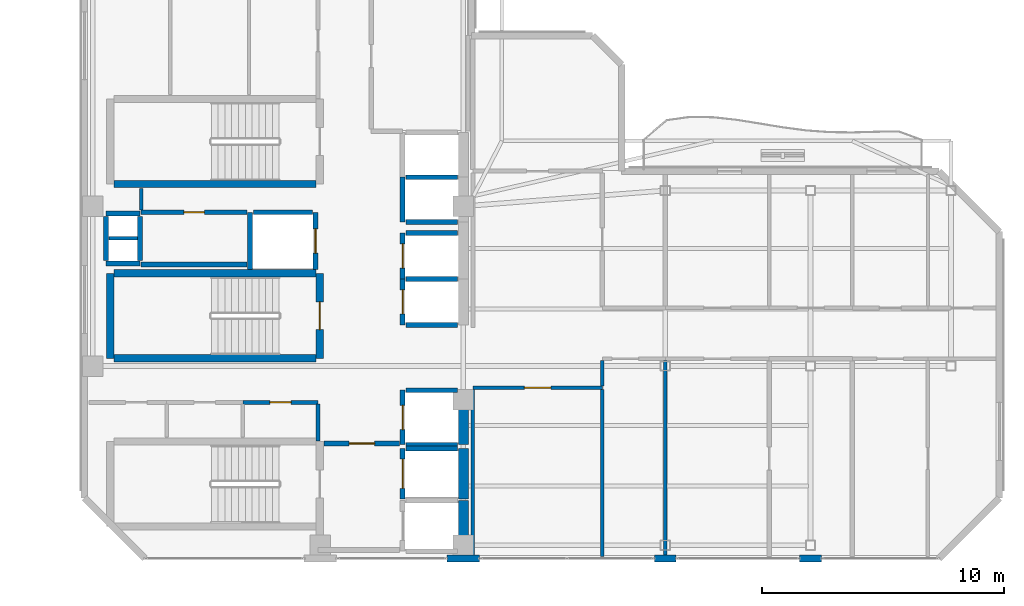
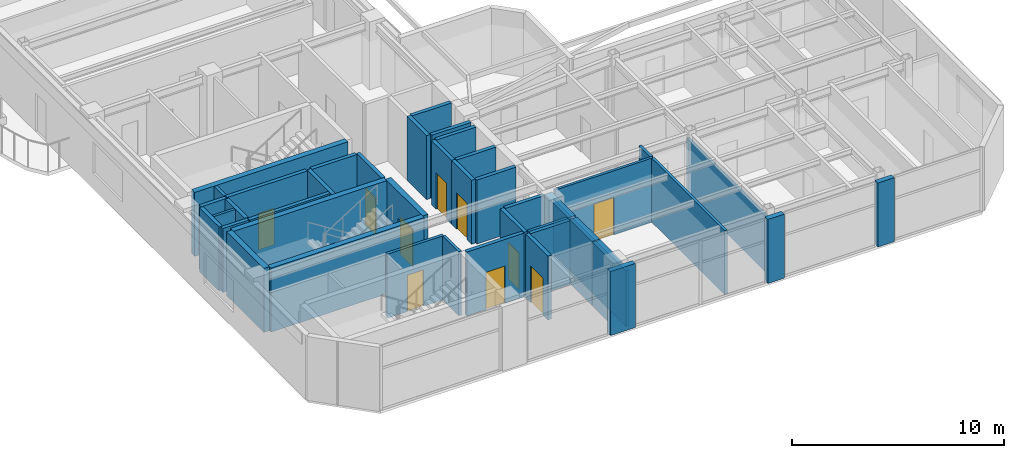
# One storey, part 9 of 15: 43 walls, 10 doors, 10 openings.
"""IFC4 building model written with IfcOpenShell, lengths in metres."""

from ifc_helpers import new_model, si_unit, direction, frame, frame_2d, origin, place, context, subcontext, project, spatial, rectangle, extrude, material, layer, layer_set, type_object, element, fill, save


model = new_model("IFC4")

# Units and contexts
model_context = context("Model", 3, precision=1e-05, world=origin(), true_north=direction((0.0, 1.0)))
body_context = subcontext(model_context, "Body", "Model", "MODEL_VIEW")
ifc_project = project(units=[si_unit("LENGTHUNIT", "METRE"), si_unit("AREAUNIT", "SQUARE_METRE"), si_unit("VOLUMEUNIT", "CUBIC_METRE"), si_unit("PLANEANGLEUNIT", "RADIAN"), si_unit("MASSUNIT", "GRAM", prefix="KILO")], contexts=[model_context])

# Site, building, storey
site_placement = place(None, origin())
site = spatial("IfcSite", under=ifc_project, at=site_placement, CompositionType="ELEMENT")
building_placement = place(site_placement, origin())
building = spatial("IfcBuilding", under=site, at=building_placement, Name="Mawjaban Terraces University", CompositionType="ELEMENT")
storey_placement = place(building_placement, frame((0.0, 0.0, 279.39990234375)))
storey = spatial("IfcBuildingStorey", under=building, at=storey_placement, Name="L68", CompositionType="ELEMENT", Elevation=279.39990234375)

# Walls
ifc_material_1 = material(Name="Concrete C50/60", Category="concrete")
ifc_layer_1 = layer(ifc_material_1, 0.419921875)
ifc_layer_set_1 = layer_set([ifc_layer_1], Name="Concrete C50/60")
wall_type_1 = type_object("IfcWallType", Name="CoreShearWall_420", PredefinedType="SHEAR", material=ifc_layer_set_1)
wall_1_placement = place(storey_placement, frame((37.659912109375, 0.300048828125, 0.0), z_axis=(0.0, 0.0, 1.0), x_axis=(0.0, 1.0, 0.0)))
element("IfcWall", 1, at=wall_1_placement, inside=storey, type_object=wall_type_1, Name="L68 Lift FL-1 Hoistway Wall East", PredefinedType="SHEAR", context=body_context, shape_type="SweptSolid", body=[
    extrude(rectangle(XDim=2.099853515625, YDim=0.419921875, at=frame_2d((1.0498046875, 0.0))), origin(), (0.0, 0.0, 1.0), 3.690185546875),
])
wall_2_placement = place(storey_placement, frame((37.659912109375, 2.449951171875, 0.0), z_axis=(0.0, 0.0, 1.0), x_axis=(0.0, 1.0, 0.0)))
element("IfcWall", 2, at=wall_2_placement, inside=storey, type_object=wall_type_1, Name="L68 Lift FL-2 Hoistway Wall East", PredefinedType="SHEAR", context=body_context, shape_type="SweptSolid", body=[
    extrude(rectangle(XDim=2.10009765625, YDim=0.419921875, at=frame_2d((1.050048828125, 0.0))), origin(), (0.0, 0.0, 1.0), 3.690185546875),
])
wall_3_placement = place(storey_placement, frame((37.659912109375, 4.699951171875, 0.0), z_axis=(0.0, 0.0, 1.0), x_axis=(0.0, 1.0, 0.0)))
element("IfcWall", 3, at=wall_3_placement, inside=storey, type_object=wall_type_1, Name="L68 Lift SL-1 Hoistway Wall East", PredefinedType="SHEAR", context=body_context, shape_type="SweptSolid", body=[
    extrude(rectangle(XDim=2.25, YDim=0.419921875, at=frame_2d((1.125, 0.0))), origin(), (0.0, 0.0, 1.0), 3.690185546875),
])

# Wall, opening, door
ifc_material_2 = material(Name="Fire-rated gypsum board on steel stud", Category="steel")
ifc_layer_2 = layer(ifc_material_2, 0.159912109375)
ifc_layer_set_2 = layer_set([ifc_layer_2], Name="Fire-rated gypsum board on steel stud")
wall_type_2 = type_object("IfcWallType", Name="CorridorPartition_160", PredefinedType="PARTITIONING", material=ifc_layer_set_2)
wall_4_placement = place(storey_placement, frame((28.550048828125, 6.449951171875, 0.0), z_axis=(0.0, 0.0, 1.0), x_axis=(1.0, 0.0, 0.0)))
wall_4 = element("IfcWall", 4, at=wall_4_placement, inside=storey, type_object=wall_type_2, Name="L68 Core Washroom Lobby Partition 6", PredefinedType="PARTITIONING", context=body_context, shape_type="SweptSolid", body=[
    extrude(rectangle(XDim=3.099853515625, YDim=0.159912109375, at=frame_2d((1.5498046875, 0.0))), origin(), (0.0, 0.0, 1.0), 3.690185546875),
])
opening_1_placement = place(wall_4_placement, frame((1.110107421875, 0.0, 0.0)))
opening_1 = element("IfcOpeningElement", 5, at=opening_1_placement, cuts=wall_4, Name="Opening ID-088", PredefinedType="OPENING", context=body_context, shape_type="SweptSolid", body=[
    extrude(rectangle(XDim=0.8798828125, YDim=2.10009765625, at=frame_2d((0.43994140625, 1.050048828125))), frame((0.0, 0.08984375, 0.0), z_axis=(0.0, -1.0, 0.0), x_axis=(1.0, 0.0, 0.0)), (0.0, 0.0, 1.0), 0.179931640625),
])
ifc_material_3 = material(Name="Powder-coated steel frame and solid acoustic timber leaf", Category="steel")
door_type_1 = type_object("IfcDoorType", Name="ToiletDoor_880x2100", OperationType="NOTDEFINED", PredefinedType="DOOR", material=ifc_material_3)
door_1_placement = place(opening_1_placement, origin())
door_1 = element("IfcDoor", 6, at=door_1_placement, inside=storey, type_object=door_type_1, Name="L68 Accessible Toilet Door", OperationType="SINGLE_SWING_RIGHT", OverallHeight=2.10009765625, OverallWidth=0.8798828125, PredefinedType="DOOR", context=body_context, shape_type="SweptSolid", body=[
    extrude(rectangle(XDim=0.8798828125, YDim=2.10009765625, at=frame_2d((0.43994140625, 1.050048828125))), frame((0.0, 0.02490234375, 0.0), z_axis=(0.0, -1.0, 0.0), x_axis=(1.0, 0.0, 0.0)), (0.0, 0.0, 1.0), 0.050048828125),
])
fill(opening_1, door_1)

# Walls
wall_5_placement = place(storey_placement, frame((24.35009765625, 15.2900390625, 0.0), z_axis=(0.0, 0.0, 1.0), x_axis=(0.0, -1.0, 0.0)))
element("IfcWall", 7, at=wall_5_placement, inside=storey, type_object=wall_type_2, Name="L68 Core Riser Access Passage Partition 27", PredefinedType="PARTITIONING", context=body_context, shape_type="SweptSolid", body=[
    extrude(rectangle(XDim=0.89501953125, YDim=0.159912109375, at=frame_2d((0.447509765625, 0.0))), origin(), (0.0, 0.0, 1.0), 3.690185546875),
])
wall_6_placement = place(storey_placement, frame((31.64990234375, 4.860107421875, 0.0), z_axis=(0.0, 0.0, 1.0), x_axis=(0.0, 1.0, 0.0)))
element("IfcWall", 8, at=wall_6_placement, inside=storey, type_object=wall_type_2, Name="L68 Accessible Toilet Partition 32", PredefinedType="PARTITIONING", context=body_context, shape_type="SweptSolid", body=[
    extrude(rectangle(XDim=1.514892578125, YDim=0.159912109375, at=frame_2d((0.75732421875, 0.0))), origin(), (0.0, 0.0, 1.0), 3.690185546875),
])
ifc_material_4 = material(Name="Insulated terracotta rainscreen on concrete backup C40/50", Category="masonry")
ifc_layer_3 = layer(ifc_material_4, 0.27490234375)
ifc_layer_set_3 = layer_set([ifc_layer_3], Name="Insulated terracotta rainscreen on concrete backup C40/50")
wall_type_3 = type_object("IfcWallType", Name="ExtTerracottaWall_275", PredefinedType="SOLIDWALL", material=ifc_layer_set_3)
wall_7_placement = place(storey_placement, frame((36.97509765625, 0.0, 0.0), z_axis=(0.0, 0.0, 1.0), x_axis=(1.0, 0.0, 0.0)))
element("IfcWall", 9, at=wall_7_placement, inside=storey, type_object=wall_type_3, Name="L68 Exterior Terracotta Pier Wall 1.2", PredefinedType="SOLIDWALL", context=body_context, shape_type="SweptSolid", body=[
    extrude(rectangle(XDim=1.349853515625, YDim=0.27490234375, at=frame_2d((0.6748046875, 0.0))), origin(), (0.0, 0.0, 1.0), 3.690185546875),
])
for number, where, z_axis, x_axis, name in (
    (10, (45.550048828125, 0.0, 0.0), (0.0, 0.0, 1.0), (1.0, 0.0, 0.0), "L68 Exterior Terracotta Pier Wall 1.3"),
    (11, (51.550048828125, 0.0, 0.0), (0.0, 0.0, 1.0), (1.0, 0.0, 0.0), "L68 Exterior Terracotta Pier Wall 1.4"),
):
    element("IfcWall", number, at=place(storey_placement, frame(where, z_axis=z_axis, x_axis=x_axis)), inside=storey, type_object=wall_type_3, Name=name, PredefinedType="SOLIDWALL", context=body_context, shape_type="SweptSolid", body=[
        extrude(rectangle(XDim=0.89990234375, YDim=0.27490234375, at=frame_2d((0.449951171875, 0.0))), origin(), (0.0, 0.0, 1.0), 3.690185546875),
    ])

# Wall, opening, door
ifc_material_5 = material(Name="Concrete C40/50", Category="concrete")
ifc_layer_4 = layer(ifc_material_5, 0.199951171875)
ifc_layer_set_4 = layer_set([ifc_layer_4], Name="Concrete C40/50")
wall_type_4 = type_object("IfcWallType", Name="FireLobbyWall_200", PredefinedType="SOLIDWALL", material=ifc_layer_set_4)
wall_8_placement = place(storey_placement, frame((35.14990234375, 4.550048828125, 0.0), z_axis=(0.0, 0.0, 1.0), x_axis=(0.0, -1.0, 0.0)))
wall_8 = element("IfcWall", 12, at=wall_8_placement, inside=storey, type_object=wall_type_4, Name="L68 Lift FL-2 Hoistway Wall West", PredefinedType="SOLIDWALL", context=body_context, shape_type="SweptSolid", body=[
    extrude(rectangle(XDim=2.10009765625, YDim=0.199951171875, at=frame_2d((1.050048828125, 0.0))), origin(), (0.0, 0.0, 1.0), 3.690185546875),
])
opening_2_placement = place(wall_8_placement, frame((0.449951171875, 0.0, 0.0)))
opening_2 = element("IfcOpeningElement", 13, at=opening_2_placement, cuts=wall_8, Name="Opening LD-FL-2", PredefinedType="OPENING", context=body_context, shape_type="SweptSolid", body=[
    extrude(rectangle(XDim=1.199951171875, YDim=2.14990234375, at=frame_2d((0.60009765625, 1.074951171875))), frame((0.0, 0.10986328125, 0.0), z_axis=(0.0, -1.0, 0.0), x_axis=(1.0, 0.0, 0.0)), (0.0, 0.0, 1.0), 0.219970703125),
])
ifc_material_6 = material(Name="Powder-coated steel frame and fire-rated steel-faced leaf", Category="steel")
door_type_2 = type_object("IfcDoorType", Name="LiftLandingFSAE_1200x2150", OperationType="NOTDEFINED", PredefinedType="DOOR", material=ifc_material_6)
door_2_placement = place(opening_2_placement, origin())
door_2 = element("IfcDoor", 14, at=door_2_placement, inside=storey, type_object=door_type_2, Name="L68 Lift FL-2 Sliding Landing Door", OperationType="DOUBLE_DOOR_SLIDING", OverallHeight=2.14990234375, OverallWidth=1.199951171875, PredefinedType="DOOR", context=body_context, shape_type="SweptSolid", body=[
    extrude(rectangle(XDim=1.199951171875, YDim=2.14990234375, at=frame_2d((0.60009765625, 1.074951171875))), frame((0.0, 0.02490234375, 0.0), z_axis=(0.0, -1.0, 0.0), x_axis=(1.0, 0.0, 0.0)), (0.0, 0.0, 1.0), 0.050048828125),
])
fill(opening_2, door_2)

# Wall
wall_9_placement = place(storey_placement, frame((37.419921875, 4.550048828125, 0.0), z_axis=(0.0, 0.0, 1.0), x_axis=(-1.0, 0.0, 0.0)))
element("IfcWall", 15, at=wall_9_placement, inside=storey, type_object=wall_type_4, Name="L68 Lift FL-2 Hoistway Wall North", PredefinedType="SOLIDWALL", context=body_context, shape_type="SweptSolid", body=[
    extrude(rectangle(XDim=2.139892578125, YDim=0.199951171875, at=frame_2d((1.06982421875, 0.0))), origin(), (0.0, 0.0, 1.0), 3.690185546875),
])

# Wall, opening, door
wall_10_placement = place(storey_placement, frame((35.14990234375, 6.949951171875, 0.0), z_axis=(0.0, 0.0, 1.0), x_axis=(0.0, -1.0, 0.0)))
wall_10 = element("IfcWall", 16, at=wall_10_placement, inside=storey, type_object=wall_type_4, Name="L68 Lift SL-1 Hoistway Wall West", PredefinedType="SOLIDWALL", context=body_context, shape_type="SweptSolid", body=[
    extrude(rectangle(XDim=2.25, YDim=0.199951171875, at=frame_2d((1.125, 0.0))), origin(), (0.0, 0.0, 1.0), 3.690185546875),
])
opening_3_placement = place(wall_10_placement, frame((0.625, 0.0, 0.0)))
opening_3 = element("IfcOpeningElement", 17, at=opening_3_placement, cuts=wall_10, Name="Opening LD-SL-1", PredefinedType="OPENING", context=body_context, shape_type="SweptSolid", body=[
    extrude(rectangle(XDim=1.0, YDim=2.10009765625, at=frame_2d((0.5, 1.050048828125))), frame((0.0, 0.10986328125, 0.0), z_axis=(0.0, -1.0, 0.0), x_axis=(1.0, 0.0, 0.0)), (0.0, 0.0, 1.0), 0.219970703125),
])
door_type_3 = type_object("IfcDoorType", Name="LiftLandingSliding_1000x2100", OperationType="NOTDEFINED", PredefinedType="DOOR", material=ifc_material_6)
door_3_placement = place(opening_3_placement, origin())
door_3 = element("IfcDoor", 18, at=door_3_placement, inside=storey, type_object=door_type_3, Name="L68 Lift SL-1 Sliding Landing Door", OperationType="DOUBLE_DOOR_SLIDING", OverallHeight=2.10009765625, OverallWidth=1.0, PredefinedType="DOOR", context=body_context, shape_type="SweptSolid", body=[
    extrude(rectangle(XDim=1.0, YDim=2.10009765625, at=frame_2d((0.5, 1.050048828125))), frame((0.0, 0.02490234375, 0.0), z_axis=(0.0, -1.0, 0.0), x_axis=(1.0, 0.0, 0.0)), (0.0, 0.0, 1.0), 0.050048828125),
])
fill(opening_3, door_3)

# Walls
for number, where, z_axis, x_axis, name in (
    (19, (35.280029296875, 4.699951171875, 0.0), (0.0, 0.0, 1.0), (1.0, 0.0, 0.0), "L68 Lift SL-1 Hoistway Wall South"),
    (20, (37.419921875, 6.949951171875, 0.0), (0.0, 0.0, 1.0), (-1.0, 0.0, 0.0), "L68 Lift SL-1 Hoistway Wall North"),
):
    element("IfcWall", number, at=place(storey_placement, frame(where, z_axis=z_axis, x_axis=x_axis)), inside=storey, type_object=wall_type_4, Name=name, PredefinedType="SOLIDWALL", context=body_context, shape_type="SweptSolid", body=[
        extrude(rectangle(XDim=2.139892578125, YDim=0.199951171875, at=frame_2d((1.06982421875, 0.0))), origin(), (0.0, 0.0, 1.0), 3.690185546875),
    ])

# Wall, opening, door
wall_11_placement = place(storey_placement, frame((35.14990234375, 11.550048828125, 0.0), z_axis=(0.0, 0.0, 1.0), x_axis=(0.0, -1.0, 0.0)))
wall_11 = element("IfcWall", 21, at=wall_11_placement, inside=storey, type_object=wall_type_4, Name="L68 Lift PL-H1 Hoistway Wall West", PredefinedType="SOLIDWALL", context=body_context, shape_type="SweptSolid", body=[
    extrude(rectangle(XDim=1.900146484375, YDim=0.199951171875, at=frame_2d((0.9501953125, 0.0))), origin(), (0.0, 0.0, 1.0), 3.690185546875),
])
opening_4_placement = place(wall_11_placement, frame((0.449951171875, 0.0, 0.0)))
opening_4 = element("IfcOpeningElement", 22, at=opening_4_placement, cuts=wall_11, Name="Opening LD-PL-H1", PredefinedType="OPENING", context=body_context, shape_type="SweptSolid", body=[
    extrude(rectangle(XDim=1.0, YDim=2.10009765625, at=frame_2d((0.5, 1.050048828125))), frame((0.0, 0.10986328125, 0.0), z_axis=(0.0, -1.0, 0.0), x_axis=(1.0, 0.0, 0.0)), (0.0, 0.0, 1.0), 0.219970703125),
])
door_4_placement = place(opening_4_placement, origin())
door_4 = element("IfcDoor", 23, at=door_4_placement, inside=storey, type_object=door_type_3, Name="L68 Lift PL-H1 Sliding Landing Door", OperationType="DOUBLE_DOOR_SLIDING", OverallHeight=2.10009765625, OverallWidth=1.0, PredefinedType="DOOR", context=body_context, shape_type="SweptSolid", body=[
    extrude(rectangle(XDim=1.0, YDim=2.10009765625, at=frame_2d((0.5, 1.050048828125))), frame((0.0, 0.02490234375, 0.0), z_axis=(0.0, -1.0, 0.0), x_axis=(1.0, 0.0, 0.0)), (0.0, 0.0, 1.0), 0.050048828125),
])
fill(opening_4, door_4)

# Walls
for number, where, z_axis, x_axis, name in (
    (24, (35.280029296875, 9.64990234375, 0.0), (0.0, 0.0, 1.0), (1.0, 0.0, 0.0), "L68 Lift PL-H1 Hoistway Wall South"),
    (25, (37.419921875, 11.550048828125, 0.0), (0.0, 0.0, 1.0), (-1.0, 0.0, 0.0), "L68 Lift PL-H1 Hoistway Wall North"),
):
    element("IfcWall", number, at=place(storey_placement, frame(where, z_axis=z_axis, x_axis=x_axis)), inside=storey, type_object=wall_type_4, Name=name, PredefinedType="SOLIDWALL", context=body_context, shape_type="SweptSolid", body=[
        extrude(rectangle(XDim=2.139892578125, YDim=0.199951171875, at=frame_2d((1.06982421875, 0.0))), origin(), (0.0, 0.0, 1.0), 3.690185546875),
    ])

# Wall, opening, door
wall_12_placement = place(storey_placement, frame((35.14990234375, 13.449951171875, 0.0), z_axis=(0.0, 0.0, 1.0), x_axis=(0.0, -1.0, 0.0)))
wall_12 = element("IfcWall", 26, at=wall_12_placement, inside=storey, type_object=wall_type_4, Name="L68 Lift PL-H2 Hoistway Wall West", PredefinedType="SOLIDWALL", context=body_context, shape_type="SweptSolid", body=[
    extrude(rectangle(XDim=1.89990234375, YDim=0.199951171875, at=frame_2d((0.949951171875, 0.0))), origin(), (0.0, 0.0, 1.0), 3.690185546875),
])
opening_5_placement = place(wall_12_placement, frame((0.449951171875, 0.0, 0.0)))
opening_5 = element("IfcOpeningElement", 27, at=opening_5_placement, cuts=wall_12, Name="Opening LD-PL-H2", PredefinedType="OPENING", context=body_context, shape_type="SweptSolid", body=[
    extrude(rectangle(XDim=1.0, YDim=2.10009765625, at=frame_2d((0.5, 1.050048828125))), frame((0.0, 0.10986328125, 0.0), z_axis=(0.0, -1.0, 0.0), x_axis=(1.0, 0.0, 0.0)), (0.0, 0.0, 1.0), 0.219970703125),
])
door_5_placement = place(opening_5_placement, origin())
door_5 = element("IfcDoor", 28, at=door_5_placement, inside=storey, type_object=door_type_3, Name="L68 Lift PL-H2 Sliding Landing Door", OperationType="DOUBLE_DOOR_SLIDING", OverallHeight=2.10009765625, OverallWidth=1.0, PredefinedType="DOOR", context=body_context, shape_type="SweptSolid", body=[
    extrude(rectangle(XDim=1.0, YDim=2.10009765625, at=frame_2d((0.5, 1.050048828125))), frame((0.0, 0.02490234375, 0.0), z_axis=(0.0, -1.0, 0.0), x_axis=(1.0, 0.0, 0.0)), (0.0, 0.0, 1.0), 0.050048828125),
])
fill(opening_5, door_5)

# Walls
wall_13_placement = place(storey_placement, frame((37.419921875, 13.449951171875, 0.0), z_axis=(0.0, 0.0, 1.0), x_axis=(-1.0, 0.0, 0.0)))
element("IfcWall", 29, at=wall_13_placement, inside=storey, type_object=wall_type_4, Name="L68 Lift PL-H2 Hoistway Wall North", PredefinedType="SOLIDWALL", context=body_context, shape_type="SweptSolid", body=[
    extrude(rectangle(XDim=2.139892578125, YDim=0.199951171875, at=frame_2d((1.06982421875, 0.0))), origin(), (0.0, 0.0, 1.0), 3.690185546875),
])
wall_14_placement = place(storey_placement, frame((28.85009765625, 14.300048828125, 0.0), z_axis=(0.0, 0.0, 1.0), x_axis=(0.0, -1.0, 0.0)))
element("IfcWall", 30, at=wall_14_placement, inside=storey, type_object=wall_type_4, Name="L68 Lift PL-H3 Hoistway Wall West", PredefinedType="SOLIDWALL", context=body_context, shape_type="SweptSolid", body=[
    extrude(rectangle(XDim=2.3701171875, YDim=0.199951171875, at=frame_2d((1.18505859375, 0.0))), origin(), (0.0, 0.0, 1.0), 3.690185546875),
])

# Wall, opening, door
wall_15_placement = place(storey_placement, frame((31.550048828125, 11.929931640625, 0.0), z_axis=(0.0, 0.0, 1.0), x_axis=(0.0, 1.0, 0.0)))
wall_15 = element("IfcWall", 31, at=wall_15_placement, inside=storey, type_object=wall_type_4, Name="L68 Lift PL-H3 Hoistway Wall East", PredefinedType="SOLIDWALL", context=body_context, shape_type="SweptSolid", body=[
    extrude(rectangle(XDim=2.3701171875, YDim=0.199951171875, at=frame_2d((1.18505859375, 0.0))), origin(), (0.0, 0.0, 1.0), 3.690185546875),
])
opening_6_placement = place(wall_15_placement, frame((0.68505859375, 0.0, 0.0)))
opening_6 = element("IfcOpeningElement", 32, at=opening_6_placement, cuts=wall_15, Name="Opening LD-PL-H3", PredefinedType="OPENING", context=body_context, shape_type="SweptSolid", body=[
    extrude(rectangle(XDim=1.0, YDim=2.10009765625, at=frame_2d((0.5, 1.050048828125))), frame((0.0, 0.10986328125, 0.0), z_axis=(0.0, -1.0, 0.0), x_axis=(1.0, 0.0, 0.0)), (0.0, 0.0, 1.0), 0.219970703125),
])
door_6_placement = place(opening_6_placement, origin())
door_6 = element("IfcDoor", 33, at=door_6_placement, inside=storey, type_object=door_type_3, Name="L68 Lift PL-H3 Sliding Landing Door", OperationType="DOUBLE_DOOR_SLIDING", OverallHeight=2.10009765625, OverallWidth=1.0, PredefinedType="DOOR", context=body_context, shape_type="SweptSolid", body=[
    extrude(rectangle(XDim=1.0, YDim=2.10009765625, at=frame_2d((0.5, 1.050048828125))), frame((0.0, 0.02490234375, 0.0), z_axis=(0.0, -1.0, 0.0), x_axis=(1.0, 0.0, 0.0)), (0.0, 0.0, 1.0), 0.050048828125),
])
fill(opening_6, door_6)

# Walls
wall_16_placement = place(storey_placement, frame((31.419921875, 14.300048828125, 0.0), z_axis=(0.0, 0.0, 1.0), x_axis=(-1.0, 0.0, 0.0)))
element("IfcWall", 34, at=wall_16_placement, inside=storey, type_object=wall_type_4, Name="L68 Lift PL-H3 Hoistway Wall North", PredefinedType="SOLIDWALL", context=body_context, shape_type="SweptSolid", body=[
    extrude(rectangle(XDim=2.43994140625, YDim=0.199951171875, at=frame_2d((1.219970703125, 0.0))), origin(), (0.0, 0.0, 1.0), 3.690185546875),
])
wall_17_placement = place(storey_placement, frame((35.14990234375, 15.75, 0.0), z_axis=(0.0, 0.0, 1.0), x_axis=(0.0, -1.0, 0.0)))
element("IfcWall", 35, at=wall_17_placement, inside=storey, type_object=wall_type_4, Name="L68 Lift OL-1 Hoistway Wall West", PredefinedType="SOLIDWALL", context=body_context, shape_type="SweptSolid", body=[
    extrude(rectangle(XDim=1.85009765625, YDim=0.199951171875, at=frame_2d((0.925048828125, 0.0))), origin(), (0.0, 0.0, 1.0), 3.690185546875),
])
for number, where, z_axis, x_axis, name in (
    (36, (35.280029296875, 13.89990234375, 0.0), (0.0, 0.0, 1.0), (1.0, 0.0, 0.0), "L68 Lift OL-1 Hoistway Wall South"),
    (37, (37.419921875, 15.75, 0.0), (0.0, 0.0, 1.0), (-1.0, 0.0, 0.0), "L68 Lift OL-1 Hoistway Wall North"),
):
    element("IfcWall", number, at=place(storey_placement, frame(where, z_axis=z_axis, x_axis=x_axis)), inside=storey, type_object=wall_type_4, Name=name, PredefinedType="SOLIDWALL", context=body_context, shape_type="SweptSolid", body=[
        extrude(rectangle(XDim=2.139892578125, YDim=0.199951171875, at=frame_2d((1.06982421875, 0.0))), origin(), (0.0, 0.0, 1.0), 3.690185546875),
    ])
for number, where, z_axis, x_axis, name in (
    (38, (22.89990234375, 14.25, 0.0), (0.0, 0.0, 1.0), (1.0, 0.0, 0.0), "L68 MEP Riser Shaft Wall N"),
    (39, (22.89990234375, 12.179931640625, 0.0), (0.0, 0.0, 1.0), (1.0, 0.0, 0.0), "L68 MEP Riser Shaft Wall S"),
):
    element("IfcWall", number, at=place(storey_placement, frame(where, z_axis=z_axis, x_axis=x_axis)), inside=storey, type_object=wall_type_4, Name=name, PredefinedType="SOLIDWALL", context=body_context, shape_type="SweptSolid", body=[
        extrude(rectangle(XDim=1.400146484375, YDim=0.199951171875, at=frame_2d((0.7001953125, 0.0))), origin(), (0.0, 0.0, 1.0), 3.690185546875),
    ])
for number, where, z_axis, x_axis, name in (
    (40, (24.300048828125, 12.300048828125, 0.0), (0.0, 0.0, 1.0), (0.0, 1.0, 0.0), "L68 MEP Riser Shaft Wall E"),
    (41, (22.89990234375, 12.300048828125, 0.0), (0.0, 0.0, 1.0), (0.0, 1.0, 0.0), "L68 MEP Riser Shaft Wall W"),
):
    element("IfcWall", number, at=place(storey_placement, frame(where, z_axis=z_axis, x_axis=x_axis)), inside=storey, type_object=wall_type_4, Name=name, PredefinedType="SOLIDWALL", context=body_context, shape_type="SweptSolid", body=[
        extrude(rectangle(XDim=1.829833984375, YDim=0.199951171875, at=frame_2d((0.9150390625, 0.0))), origin(), (0.0, 0.0, 1.0), 3.690185546875),
    ])
wall_18_placement = place(storey_placement, frame((24.35009765625, 12.14990234375, 0.0), z_axis=(0.0, 0.0, 1.0), x_axis=(1.0, 0.0, 0.0)))
element("IfcWall", 42, at=wall_18_placement, inside=storey, type_object=wall_type_4, Name="L68 IT and Telecoms Riser Room Partition 2", PredefinedType="SOLIDWALL", context=body_context, shape_type="SweptSolid", body=[
    extrude(rectangle(XDim=4.369873046875, YDim=0.199951171875, at=frame_2d((2.18505859375, 0.0))), origin(), (0.0, 0.0, 1.0), 3.690185546875),
])

# Wall, opening, door
wall_19_placement = place(storey_placement, frame((24.35009765625, 14.300048828125, 0.0), z_axis=(0.0, 0.0, 1.0), x_axis=(1.0, 0.0, 0.0)))
wall_19 = element("IfcWall", 43, at=wall_19_placement, inside=storey, type_object=wall_type_4, Name="L68 Core Riser Access Passage Partition 3", PredefinedType="SOLIDWALL", context=body_context, shape_type="SweptSolid", body=[
    extrude(rectangle(XDim=4.369873046875, YDim=0.199951171875, at=frame_2d((2.18505859375, 0.0))), origin(), (0.0, 0.0, 1.0), 3.690185546875),
])
opening_7_placement = place(wall_19_placement, frame((1.760009765625, 0.0, 0.0)))
opening_7 = element("IfcOpeningElement", 44, at=opening_7_placement, cuts=wall_19, Name="Opening FD-085", PredefinedType="OPENING", context=body_context, shape_type="SweptSolid", body=[
    extrude(rectangle(XDim=0.85009765625, YDim=2.10009765625, at=frame_2d((0.425048828125, 1.050048828125))), frame((0.0, 0.10986328125, 0.0), z_axis=(0.0, -1.0, 0.0), x_axis=(1.0, 0.0, 0.0)), (0.0, 0.0, 1.0), 0.219970703125),
])
door_type_4 = type_object("IfcDoorType", Name="FireRiserDoor_850x2100", OperationType="NOTDEFINED", PredefinedType="DOOR", material=ifc_material_6)
door_7_placement = place(opening_7_placement, origin())
door_7 = element("IfcDoor", 45, at=door_7_placement, inside=storey, type_object=door_type_4, Name="L68 IT and Telecoms Riser Room Door", OperationType="SINGLE_SWING_LEFT", OverallHeight=2.10009765625, OverallWidth=0.85009765625, PredefinedType="DOOR", context=body_context, shape_type="SweptSolid", body=[
    extrude(rectangle(XDim=0.85009765625, YDim=2.10009765625, at=frame_2d((0.425048828125, 1.050048828125))), frame((0.0, 0.02490234375, 0.0), z_axis=(0.0, -1.0, 0.0), x_axis=(1.0, 0.0, 0.0)), (0.0, 0.0, 1.0), 0.050048828125),
])
fill(opening_7, door_7)

wall_20_placement = place(storey_placement, frame((35.02001953125, 4.75, 0.0), z_axis=(0.0, 0.0, 1.0), x_axis=(-1.0, 0.0, 0.0)))
wall_20 = element("IfcWall", 46, at=wall_20_placement, inside=storey, type_object=wall_type_4, Name="L68 Firefighting Lift Lobby Partition 11", PredefinedType="SOLIDWALL", context=body_context, shape_type="SweptSolid", body=[
    extrude(rectangle(XDim=3.110107421875, YDim=0.199951171875, at=frame_2d((1.55517578125, 0.0))), origin(), (0.0, 0.0, 1.0), 3.690185546875),
])
opening_8_placement = place(wall_20_placement, frame((1.030029296875, 0.0, 0.0)))
opening_8 = element("IfcOpeningElement", 47, at=opening_8_placement, cuts=wall_20, Name="Opening FD-105", PredefinedType="OPENING", context=body_context, shape_type="SweptSolid", body=[
    extrude(rectangle(XDim=1.050048828125, YDim=2.14990234375, at=frame_2d((0.52490234375, 1.074951171875))), frame((0.0, 0.10986328125, 0.0), z_axis=(0.0, -1.0, 0.0), x_axis=(1.0, 0.0, 0.0)), (0.0, 0.0, 1.0), 0.219970703125),
])
door_type_5 = type_object("IfcDoorType", Name="FireLobbyDoor_1050x2150", OperationType="NOTDEFINED", PredefinedType="DOOR", material=ifc_material_6)
door_8_placement = place(opening_8_placement, origin())
door_8 = element("IfcDoor", 48, at=door_8_placement, inside=storey, type_object=door_type_5, Name="L68 Firefighting Lift Lobby Door", OperationType="SINGLE_SWING_LEFT", OverallHeight=2.14990234375, OverallWidth=1.050048828125, PredefinedType="DOOR", context=body_context, shape_type="SweptSolid", body=[
    extrude(rectangle(XDim=1.050048828125, YDim=2.14990234375, at=frame_2d((0.52490234375, 1.074951171875))), frame((0.0, 0.02490234375, 0.0), z_axis=(0.0, -1.0, 0.0), x_axis=(1.0, 0.0, 0.0)), (0.0, 0.0, 1.0), 0.050048828125),
])
fill(opening_8, door_8)

# Wall
ifc_material_7 = material(Name="Moisture-resistant gypsum board on steel stud", Category="steel")
ifc_layer_5 = layer(ifc_material_7, 0.14501953125)
ifc_layer_set_5 = layer_set([ifc_layer_5], Name="Moisture-resistant gypsum board on steel stud")
wall_type_5 = type_object("IfcWallType", Name="LabPartition_145", PredefinedType="PARTITIONING", material=ifc_layer_set_5)
wall_21_placement = place(storey_placement, frame((23.010009765625, 13.22509765625, 0.0), z_axis=(0.0, 0.0, 1.0), x_axis=(1.0, 0.0, 0.0)))
element("IfcWall", 49, at=wall_21_placement, inside=storey, type_object=wall_type_5, Name="L68 MEP Riser Shaft Wall M", PredefinedType="PARTITIONING", context=body_context, shape_type="SweptSolid", body=[
    extrude(rectangle(XDim=1.179931640625, YDim=0.14501953125, at=frame_2d((0.58984375, 0.0))), origin(), (0.0, 0.0, 1.0), 3.690185546875),
])

# Wall, opening, door
wall_22_placement = place(storey_placement, frame((38.050048828125, 7.050048828125, 0.0), z_axis=(0.0, 0.0, 1.0), x_axis=(1.0, 0.0, 0.0)))
wall_22 = element("IfcWall", 50, at=wall_22_placement, inside=storey, type_object=wall_type_5, Name="L68 Upper Research Hub Concourse Partition 15", PredefinedType="PARTITIONING", context=body_context, shape_type="SweptSolid", body=[
    extrude(rectangle(XDim=5.349853515625, YDim=0.14501953125, at=frame_2d((2.6748046875, 0.0))), origin(), (0.0, 0.0, 1.0), 3.690185546875),
])
opening_9_placement = place(wall_22_placement, frame((2.125, 0.0, 0.0)))
opening_9 = element("IfcOpeningElement", 51, at=opening_9_placement, cuts=wall_22, Name="Opening ID-110", PredefinedType="OPENING", context=body_context, shape_type="SweptSolid", body=[
    extrude(rectangle(XDim=1.10009765625, YDim=2.14990234375, at=frame_2d((0.550048828125, 1.074951171875))), frame((0.0, 0.08251953125, 0.0), z_axis=(0.0, -1.0, 0.0), x_axis=(1.0, 0.0, 0.0)), (0.0, 0.0, 1.0), 0.1650390625),
])
door_type_6 = type_object("IfcDoorType", Name="LabDoor_1100x2150", OperationType="NOTDEFINED", PredefinedType="DOOR", material=ifc_material_3)
door_9_placement = place(opening_9_placement, origin())
door_9 = element("IfcDoor", 52, at=door_9_placement, inside=storey, type_object=door_type_6, Name="L68 Computational Laboratory 1 Door", OperationType="SINGLE_SWING_RIGHT", OverallHeight=2.14990234375, OverallWidth=1.10009765625, PredefinedType="DOOR", context=body_context, shape_type="SweptSolid", body=[
    extrude(rectangle(XDim=1.10009765625, YDim=2.14990234375, at=frame_2d((0.550048828125, 1.074951171875))), frame((0.0, 0.02490234375, 0.0), z_axis=(0.0, -1.0, 0.0), x_axis=(1.0, 0.0, 0.0)), (0.0, 0.0, 1.0), 0.050048828125),
])
fill(opening_9, door_9)

# Walls
wall_23_placement = place(storey_placement, frame((38.050048828125, 6.98193359375, 0.0), z_axis=(0.0, 0.0, 1.0), x_axis=(0.0, -1.0, 0.0)))
element("IfcWall", 53, at=wall_23_placement, inside=storey, type_object=wall_type_5, Name="L68 Computational Laboratory 1 Partition 38", PredefinedType="PARTITIONING", context=body_context, shape_type="SweptSolid", body=[
    extrude(rectangle(XDim=6.848876953125, YDim=0.14501953125, at=frame_2d((3.42431640625, 0.0))), origin(), (0.0, 0.0, 1.0), 3.22119140625),
])
wall_24_placement = place(storey_placement, frame((43.39990234375, 0.090087890625, 0.0), z_axis=(0.0, 0.0, 1.0), x_axis=(0.0, 1.0, 0.0)))
element("IfcWall", 54, at=wall_24_placement, inside=storey, type_object=wall_type_5, Name="L68 Computational Laboratory 1 Partition 41", PredefinedType="PARTITIONING", context=body_context, shape_type="SweptSolid", body=[
    extrude(rectangle(XDim=6.891845703125, YDim=0.14501953125, at=frame_2d((3.44580078125, 0.0))), origin(), (0.0, 0.0, 1.0), 3.690185546875),
])
wall_25_placement = place(storey_placement, frame((43.39990234375, 7.116943359375, 0.0), z_axis=(0.0, 0.0, 1.0), x_axis=(0.0, 1.0, 0.0)))
element("IfcWall", 55, at=wall_25_placement, inside=storey, type_object=wall_type_5, Name="L68 Upper Research Hub Concourse Partition 42", PredefinedType="PARTITIONING", context=body_context, shape_type="SweptSolid", body=[
    extrude(rectangle(XDim=1.06494140625, YDim=0.14501953125, at=frame_2d((0.532470703125, 0.0))), origin(), (0.0, 0.0, 1.0), 3.690185546875),
])
wall_26_placement = place(storey_placement, frame((46.0, 0.133056640625, 0.0), z_axis=(0.0, 0.0, 1.0), x_axis=(0.0, 1.0, 0.0)))
element("IfcWall", 56, at=wall_26_placement, inside=storey, type_object=wall_type_5, Name="L68 Teaching Laboratory 2 Partition 44", PredefinedType="PARTITIONING", context=body_context, shape_type="SweptSolid", body=[
    extrude(rectangle(XDim=8.048828125, YDim=0.14501953125, at=frame_2d((4.0244140625, 0.0))), origin(), (0.0, 0.0, 1.0), 3.22119140625),
])
ifc_material_8 = material(Name="Concrete C60/75", Category="concrete")
ifc_layer_6 = layer(ifc_material_8, 0.300048828125)
ifc_layer_set_6 = layer_set([ifc_layer_6], Name="Concrete C60/75")
wall_type_6 = type_object("IfcWallType", Name="StairShaftWall_300", PredefinedType="SHEAR", material=ifc_layer_set_6)
for number, where, z_axis, x_axis, name in (
    (57, (23.219970703125, 15.469970703125, 0.0), (0.0, 0.0, 1.0), (1.0, 0.0, 0.0), "L68 ST-2 Stair Shaft Wall 3"),
    (58, (31.580078125, 11.780029296875, 0.0), (0.0, 0.0, 1.0), (-1.0, 0.0, 0.0), "L68 ST-3 Stair Shaft Wall 1"),
):
    element("IfcWall", number, at=place(storey_placement, frame(where, z_axis=z_axis, x_axis=x_axis)), inside=storey, type_object=wall_type_6, Name=name, PredefinedType="SHEAR", context=body_context, shape_type="SweptSolid", body=[
        extrude(rectangle(XDim=8.360107421875, YDim=0.300048828125, at=frame_2d((4.18017578125, 0.0))), origin(), (0.0, 0.0, 1.0), 3.690185546875),
    ])
wall_27_placement = place(storey_placement, frame((23.070068359375, 11.780029296875, 0.0), z_axis=(0.0, 0.0, 1.0), x_axis=(0.0, -1.0, 0.0)))
element("IfcWall", 59, at=wall_27_placement, inside=storey, type_object=wall_type_6, Name="L68 ST-3 Stair Shaft Wall 2", PredefinedType="SHEAR", context=body_context, shape_type="SweptSolid", body=[
    extrude(rectangle(XDim=3.510009765625, YDim=0.300048828125, at=frame_2d((1.7548828125, 0.0))), origin(), (0.0, 0.0, 1.0), 3.690185546875),
])
wall_28_placement = place(storey_placement, frame((23.219970703125, 8.27001953125, 0.0), z_axis=(0.0, 0.0, 1.0), x_axis=(1.0, 0.0, 0.0)))
element("IfcWall", 60, at=wall_28_placement, inside=storey, type_object=wall_type_6, Name="L68 ST-3 Stair Shaft Wall 3", PredefinedType="SHEAR", context=body_context, shape_type="SweptSolid", body=[
    extrude(rectangle(XDim=8.360107421875, YDim=0.300048828125, at=frame_2d((4.18017578125, 0.0))), origin(), (0.0, 0.0, 1.0), 3.690185546875),
])

# Wall, opening, door
wall_29_placement = place(storey_placement, frame((31.72998046875, 8.27001953125, 0.0), z_axis=(0.0, 0.0, 1.0), x_axis=(0.0, 1.0, 0.0)))
wall_29 = element("IfcWall", 61, at=wall_29_placement, inside=storey, type_object=wall_type_6, Name="L68 ST-3 Stair Shaft Wall 4", PredefinedType="SHEAR", context=body_context, shape_type="SweptSolid", body=[
    extrude(rectangle(XDim=3.510009765625, YDim=0.300048828125, at=frame_2d((1.7548828125, 0.0))), origin(), (0.0, 0.0, 1.0), 3.690185546875),
])
opening_10_placement = place(wall_29_placement, frame((1.179931640625, 0.0, 0.0)))
opening_10 = element("IfcOpeningElement", 62, at=opening_10_placement, cuts=wall_29, Name="Opening FD-115", PredefinedType="OPENING", context=body_context, shape_type="SweptSolid", body=[
    extrude(rectangle(XDim=1.14990234375, YDim=2.14990234375, at=frame_2d((0.574951171875, 1.074951171875))), frame((0.0, 0.159912109375, 0.0), z_axis=(0.0, -1.0, 0.0), x_axis=(1.0, 0.0, 0.0)), (0.0, 0.0, 1.0), 0.320068359375),
])
door_type_7 = type_object("IfcDoorType", Name="FireStairDoor_1150x2150", OperationType="NOTDEFINED", PredefinedType="DOOR", material=ifc_material_6)
door_10_placement = place(opening_10_placement, origin())
door_10 = element("IfcDoor", 63, at=door_10_placement, inside=storey, type_object=door_type_7, Name="L68 ST-3 Pressurised Stair Fire Door", OperationType="SINGLE_SWING_RIGHT", OverallHeight=2.14990234375, OverallWidth=1.14990234375, PredefinedType="DOOR", context=body_context, shape_type="SweptSolid", body=[
    extrude(rectangle(XDim=1.14990234375, YDim=2.14990234375, at=frame_2d((0.574951171875, 1.074951171875))), frame((0.0, 0.02490234375, 0.0), z_axis=(0.0, -1.0, 0.0), x_axis=(1.0, 0.0, 0.0)), (0.0, 0.0, 1.0), 0.050048828125),
])
fill(opening_10, door_10)

save(model, "model.ifc")
